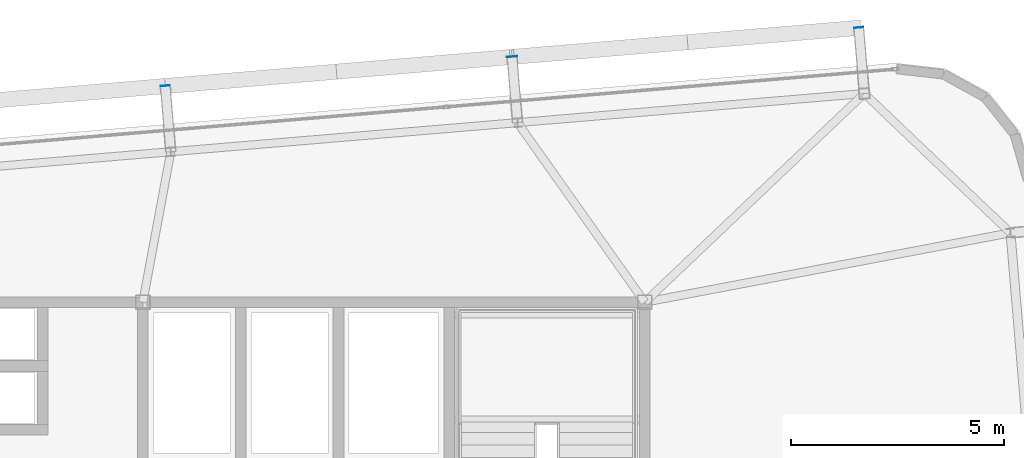
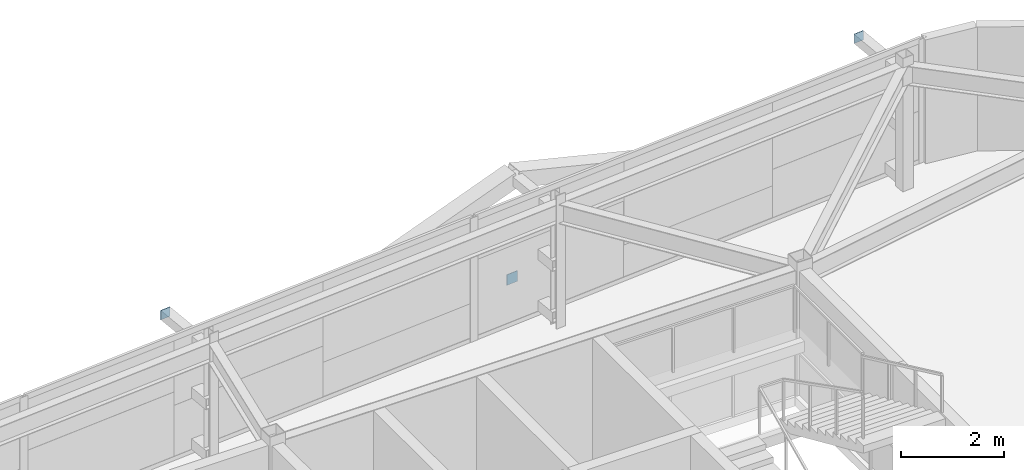
# One storey, part 33 of 39: 3 plates.
"""IFC4 building model written with IfcOpenShell, lengths in metres."""

import ifcopenshell
import ifcopenshell.guid

model = None  # the IFC model being written
_history = None  # IfcOwnerHistory: only IFC2X3 demands one
_inside = {}  # id of a spatial element -> (the spatial element, [elements in it])
_under = {}  # id of a project, library or spatial element -> (it, [spatial elements below it])
_declared = {}  # id of a project -> (the project, [libraries it declares])
_typed = {}  # id of a type object -> (the type object, [elements of that type])
_made_of = {}  # id of a material, layer set ... -> (it, [elements and type objects made of it])


def new_model(schema):
    """Start an empty IFC model of exactly this schema.

    Asked for "IFC4X3", IfcOpenShell would pick the latest addendum, in which some entities
    have other attributes; the version numbers below select the first issue.
    IFC2X3 requires an IfcOwnerHistory on every rooted entity: one is made here for all.
    """
    global model, _history
    if schema == "IFC4X3":
        model = ifcopenshell.file(schema_version=(4, 3, 0, 0))
    else:
        model = ifcopenshell.file(schema=schema)
    _inside.clear()
    _under.clear()
    _declared.clear()
    _typed.clear()
    _made_of.clear()
    _history = None
    if model.schema == "IFC2X3":
        org = make("IfcOrganization", Name="unknown")
        user = make(
            "IfcPersonAndOrganization",
            ThePerson=make("IfcPerson", FamilyName="unknown"),
            TheOrganization=org,
        )
        app = make(
            "IfcApplication",
            ApplicationDeveloper=org,
            Version="unknown",
            ApplicationFullName="unknown",
            ApplicationIdentifier="unknown",
        )
        _history = make(
            "IfcOwnerHistory",
            OwningUser=user,
            OwningApplication=app,
            ChangeAction="ADDED",
            CreationDate=0,
        )
    return model


def make(cls, **values):
    """One entity of the class cls with the attributes given. An attribute that is None is left unset."""
    return model.create_entity(
        cls, **{name: value for name, value in values.items() if value is not None}
    )


def rooted(cls, **values):
    """An entity with a GlobalId (a new one), such as an element, a storey or a relation."""
    return make(cls, GlobalId=ifcopenshell.guid.new(), OwnerHistory=_history, **values)


def si_unit(unit_type, name, prefix=None):
    """IfcSIUnit, for example si_unit("LENGTHUNIT", "METRE", prefix="MILLI")."""
    return make("IfcSIUnit", UnitType=unit_type, Prefix=prefix, Name=name)


def assignment(units):
    """IfcUnitAssignment: the units of a project."""
    return None if units is None else make("IfcUnitAssignment", Units=units)


def point(xyz):
    """IfcCartesianPoint."""
    return None if xyz is None else make("IfcCartesianPoint", Coordinates=xyz)


def direction(xyz):
    """IfcDirection."""
    return None if xyz is None else make("IfcDirection", DirectionRatios=xyz)


def frame(location, z_axis=None, x_axis=None):
    """IfcAxis2Placement3D, a coordinate frame: its origin and axes. An axis left out is left unset."""
    return make(
        "IfcAxis2Placement3D",
        Location=point(location),
        Axis=direction(z_axis),
        RefDirection=direction(x_axis),
    )


def frame_2d(location, x_axis=None):
    """IfcAxis2Placement2D, a coordinate frame in the plane: its origin and x axis."""
    return make(
        "IfcAxis2Placement2D", Location=point(location), RefDirection=direction(x_axis)
    )


def origin():
    """The frame at (0, 0, 0) with its axes left unset."""
    return frame((0.0, 0.0, 0.0))


def origin_2d():
    """The frame at (0, 0) in the plane with its x axis left unset."""
    return frame_2d((0.0, 0.0))


def place(relative_to, where):
    """IfcLocalPlacement: puts the frame where relative to a parent placement (None: the world)."""
    return make(
        "IfcLocalPlacement", PlacementRelTo=relative_to, RelativePlacement=where
    )


def context(
    kind, dimensions, precision=None, world=None, true_north=None, identifier=None
):
    """IfcGeometricRepresentationContext, for example the 3D "Model" context."""
    return make(
        "IfcGeometricRepresentationContext",
        ContextIdentifier=identifier,
        ContextType=kind,
        CoordinateSpaceDimension=dimensions,
        Precision=precision,
        WorldCoordinateSystem=world,
        TrueNorth=true_north,
    )


def subcontext(parent, identifier, kind, view, scale=None):
    """IfcGeometricRepresentationSubContext, for example "Body" below "Model"."""
    return make(
        "IfcGeometricRepresentationSubContext",
        ContextIdentifier=identifier,
        ContextType=kind,
        ParentContext=parent,
        TargetScale=scale,
        TargetView=view,
    )


def project(units=None, contexts=None):
    """IfcProject with its units and contexts."""
    return rooted(
        "IfcProject",
        Name="project",
        RepresentationContexts=contexts,
        UnitsInContext=assignment(units),
    )


def spatial(cls, under=None, at=None, **own):
    """A site, building, storey or space (cls), placed at a placement, below another one or the project."""
    s = rooted(cls, ObjectPlacement=at, **own)
    if under is not None:
        _under.setdefault(under.id(), (under, []))[1].append(s)
    return s


def profile(cls, at=None, kind="AREA", **sizes):
    """A parametric profile (cls). Its sizes go by their IFC names, for example OverallWidth=200.0."""
    return make(cls, ProfileType=kind, Position=at, **sizes)


def rectangle(**sizes):
    """IfcRectangleProfileDef."""
    return profile("IfcRectangleProfileDef", **sizes)


def extrude(swept, where, along, depth):
    """IfcExtrudedAreaSolid: the profile swept, set in the frame where, extruded along a direction by depth."""
    return make(
        "IfcExtrudedAreaSolid",
        SweptArea=swept,
        Position=where,
        ExtrudedDirection=direction(along),
        Depth=depth,
    )


def shape(context_of_items, identifier, shape_type, items):
    """IfcShapeRepresentation: the items that make up one representation, for example the "Body"."""
    return make(
        "IfcShapeRepresentation",
        ContextOfItems=context_of_items,
        RepresentationIdentifier=identifier,
        RepresentationType=shape_type,
        Items=items,
    )


def source(mapping_origin, context_of_items, identifier, shape_type, items):
    """IfcRepresentationMap: a shape defined once, which mapped items show again and again."""
    return make(
        "IfcRepresentationMap",
        MappingOrigin=mapping_origin,
        MappedRepresentation=shape(context_of_items, identifier, shape_type, items),
    )


def transform(
    local_origin,
    x_axis=None,
    y_axis=None,
    z_axis=None,
    scale=None,
    scale2=None,
    scale3=None,
    uniform=True,
):
    """IfcCartesianTransformationOperator3D, or its non-uniform kind. x_axis, y_axis, z_axis: its Axis1, 2, 3."""
    if uniform:
        return make(
            "IfcCartesianTransformationOperator3D",
            Axis1=direction(x_axis),
            Axis2=direction(y_axis),
            LocalOrigin=point(local_origin),
            Scale=scale,
            Axis3=direction(z_axis),
        )
    return make(
        "IfcCartesianTransformationOperator3DnonUniform",
        Axis1=direction(x_axis),
        Axis2=direction(y_axis),
        LocalOrigin=point(local_origin),
        Scale=scale,
        Axis3=direction(z_axis),
        Scale2=scale2,
        Scale3=scale3,
    )


def mapped(mapping_source, mapping_target):
    """IfcMappedItem: shows the shape of a source again, moved by a transform."""
    return make(
        "IfcMappedItem", MappingSource=mapping_source, MappingTarget=mapping_target
    )


def material(Name=None, Category=None):
    """IfcMaterial."""
    return make("IfcMaterial", Name=Name, Category=Category)


def layer(
    of_material, thickness, ventilated=None, Name=None, Category=None, Priority=None
):
    """IfcMaterialLayer: one layer of a wall or slab, of a material (None: an air gap)."""
    return make(
        "IfcMaterialLayer",
        Material=of_material,
        LayerThickness=thickness,
        IsVentilated=ventilated,
        Name=Name,
        Category=Category,
        Priority=Priority,
    )


def layer_set(layers, Name=None):
    """IfcMaterialLayerSet."""
    return make("IfcMaterialLayerSet", MaterialLayers=layers, LayerSetName=Name)


def made_of(thing, what):
    """Note that an element or type object is made of a material, layer set ...; save() writes the relation."""
    if what is not None:
        _made_of.setdefault(what.id(), (what, []))[1].append(thing)
    return thing


def type_object(cls, material=None, **own):
    """A type object (cls), such as IfcWallType, which elements share."""
    return made_of(rooted(cls, **own), material)


def element(
    cls,
    number,
    at=None,
    inside=None,
    cuts=None,
    type_object=None,
    material=None,
    context=None,
    identifier="Body",
    shape_type=None,
    held_by="IfcProductDefinitionShape",
    body=None,
    shapes=None,
    **own,
):
    """One element of the class cls, such as IfcWall. Its Tag is "e" and its number.

    at: its placement. inside: the storey or other place that contains it. cuts: it is an
    opening in that element (IfcRelVoidsElement). A single representation is given by context,
    identifier, shape_type and body (its items); several are given by shapes. held_by: the class
    of the entity that holds the representations. save() writes the other relations.
    """
    e = rooted(cls, Tag="e%d" % number, ObjectPlacement=at, **own)
    if body is not None:
        shapes = [shape(context, identifier, shape_type, body)]
    if shapes is not None:
        e.Representation = make(held_by, Representations=shapes)
    if inside is not None:
        _inside.setdefault(inside.id(), (inside, []))[1].append(e)
    if cuts is not None:
        rooted(
            "IfcRelVoidsElement", RelatingBuildingElement=cuts, RelatedOpeningElement=e
        )
    if type_object is not None:
        _typed.setdefault(type_object.id(), (type_object, []))[1].append(e)
    return made_of(e, material)


def aggregate(whole, parts):
    """IfcRelAggregates: a whole, such as a stair, and the parts it consists of."""
    return rooted("IfcRelAggregates", RelatingObject=whole, RelatedObjects=parts)


def save(model, path):
    """Write the relations noted so far, then the file.

    IfcRelAggregates (storeys below a building ...), IfcRelContainedInSpatialStructure (elements
    in a storey), IfcRelDefinesByType, IfcRelAssociatesMaterial and IfcRelDeclares: one each for
    every whole, place, type object, material and project.
    """
    for whole, parts in _under.values():
        aggregate(whole, parts)
    for where, things in _inside.values():
        rooted(
            "IfcRelContainedInSpatialStructure",
            RelatedElements=things,
            RelatingStructure=where,
        )
    for kind, things in _typed.values():
        rooted("IfcRelDefinesByType", RelatedObjects=things, RelatingType=kind)
    for what, things in _made_of.values():
        rooted("IfcRelAssociatesMaterial", RelatedObjects=things, RelatingMaterial=what)
    for by, libraries in _declared.values():
        rooted("IfcRelDeclares", RelatingContext=by, RelatedDefinitions=libraries)
    model.write(path)


model = new_model("IFC4")

# Units and contexts
model_context = context("Model", 3, precision=1e-05, world=origin(), true_north=direction((0.0, 1.0)))
body_context = subcontext(model_context, "Body", "Model", "MODEL_VIEW")
ifc_project = project(units=[si_unit("LENGTHUNIT", "METRE"), si_unit("AREAUNIT", "SQUARE_METRE"), si_unit("VOLUMEUNIT", "CUBIC_METRE"), si_unit("PLANEANGLEUNIT", "RADIAN"), si_unit("MASSUNIT", "GRAM", prefix="KILO")], contexts=[model_context])

# Site, building, storey
site_placement = place(None, origin())
site = spatial("IfcSite", under=ifc_project, at=site_placement, CompositionType="ELEMENT")
building_placement = place(site_placement, origin())
building = spatial("IfcBuilding", under=site, at=building_placement, Name="Taldren Reach Tower", CompositionType="ELEMENT")
storey_placement = place(building_placement, frame((0.0, 0.0, 175.699951171875)))
storey = spatial("IfcBuildingStorey", under=building, at=storey_placement, Name="L53", CompositionType="ELEMENT", Elevation=175.699951171875)

# Plates
ifc_material_1 = material(Name="Steel Gr 350 (C350L0)", Category="steel")
ifc_layer_1 = layer(ifc_material_1, 0.011962890625)
ifc_layer_set_1 = layer_set([ifc_layer_1], Name="Steel Gr 350 (C350L0)")
plate_type_1 = type_object("IfcPlateType", Name="PL-CAP-250", PredefinedType="SHEET", material=ifc_layer_set_1)
shared_shape_1 = source(origin(), body_context, "Body", "SweptSolid", [
    extrude(rectangle(XDim=0.25, YDim=0.011962890625, at=origin_2d()), origin(), (0.0, 0.0, 1.0), 0.25),
])
plate_placement = place(storey_placement, frame((47.87890625, 37.77197265625, 0.094970703125), z_axis=(0.0, 0.0, 1.0), x_axis=(0.99649285925, 0.083677843332, 0.0)))
element("IfcPlate", 1, at=plate_placement, inside=storey, type_object=plate_type_1, Name="Tie strut end cap plate B4-N5 L53", PredefinedType="SHEET", context=body_context, shape_type="MappedRepresentation", body=[
    mapped(shared_shape_1, transform((0.0, 0.0, 0.0), scale=1.0)),
])
ifc_material_2 = material(Name="Steel Gr 450 (C450L0)", Category="steel")
ifc_layer_2 = layer(ifc_material_2, 0.011962890625)
ifc_layer_set_2 = layer_set([ifc_layer_2], Name="Steel Gr 450 (C450L0)")
plate_type_2 = type_object("IfcPlateType", Name="PL-CAP-220", PredefinedType="SHEET", material=ifc_layer_set_2)
shared_shape_2 = source(origin(), body_context, "Body", "SweptSolid", [
    extrude(rectangle(XDim=0.219970703125, YDim=0.011962890625, at=origin_2d()), origin(), (0.0, 0.0, 1.0), 0.219970703125),
])
for number, where, z_axis, x_axis, name in (
    (2, (39.7275390625, 37.087646484375, 2.5400390625), (0.0, 0.0, 1.0), (0.99649285925, 0.083677843332, 0.0), "Tie strut end cap plate B4-N4 L53"),
    (3, (56.030029296875, 38.45654296875, 2.5400390625), (0.0, 0.0, 1.0), (0.99649285925, 0.083677843332, 0.0), "Tie strut end cap plate B4-N6 L53"),
):
    element("IfcPlate", number, at=place(storey_placement, frame(where, z_axis=z_axis, x_axis=x_axis)), inside=storey, type_object=plate_type_2, Name=name, PredefinedType="SHEET", context=body_context, shape_type="MappedRepresentation", body=[
        mapped(shared_shape_2, transform((0.0, 0.0, 0.0), scale=1.0)),
    ])

save(model, "model.ifc")
